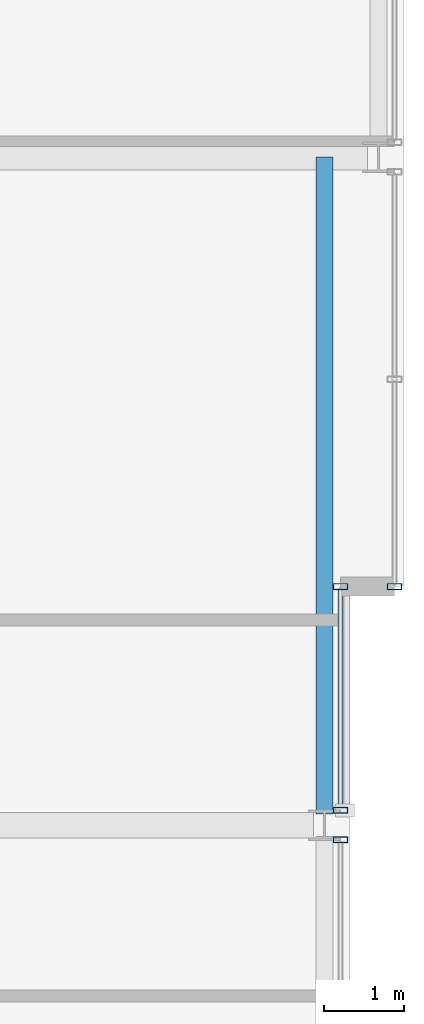
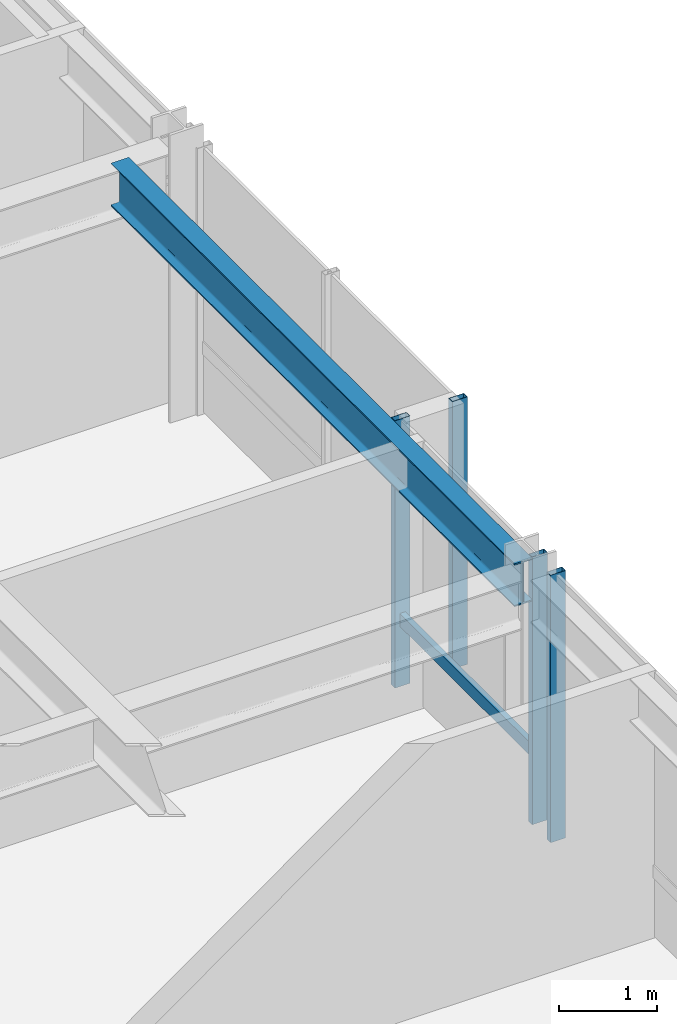
# One storey, part 16 of 32: 5 members, 1 beam, 3 elements without a shape of their own.
"""IFC4 building model written with IfcOpenShell, lengths in metres."""

from ifc_helpers import new_model, si_unit, direction, frame, origin, origin_2d, place, context, subcontext, project, spatial, hollow_rectangle, i_section, extrude, material, layer, layer_set, material_profile, profile_set, type_object, element, aggregate, save


model = new_model("IFC4")

# Units and contexts
model_context = context("Model", 3, precision=1e-05, world=origin(), true_north=direction((0.0, 1.0)))
body_context = subcontext(model_context, "Body", "Model", "MODEL_VIEW")
ifc_project = project(units=[si_unit("LENGTHUNIT", "METRE"), si_unit("AREAUNIT", "SQUARE_METRE"), si_unit("VOLUMEUNIT", "CUBIC_METRE"), si_unit("PLANEANGLEUNIT", "RADIAN"), si_unit("MASSUNIT", "GRAM", prefix="KILO")], contexts=[model_context])

# Site, building, storey
site_placement = place(None, origin())
site = spatial("IfcSite", under=ifc_project, at=site_placement, CompositionType="ELEMENT")
building_placement = place(site_placement, origin())
building = spatial("IfcBuilding", under=site, at=building_placement, Name="Drelvath Grand Hotel", CompositionType="ELEMENT")
storey_placement = place(building_placement, frame((0.0, 0.0, 226.699951171875)))
storey = spatial("IfcBuildingStorey", under=building, at=storey_placement, Name="L59", CompositionType="ELEMENT", Elevation=226.699951171875)

# Curtain wall, member
ifc_material_1 = material(Name="Platinum-Mist Anodised Aluminium Frame", Category="aluminium")
ifc_layer = layer(ifc_material_1, 0.199951171875)
ifc_layer_set = layer_set([ifc_layer], Name="Platinum-Mist Anodised Aluminium Frame")
curtain_wall_type = type_object("IfcCurtainWallType", Name="Stick Curtain Wall CW-05 Platinum Mist High-Rise", PredefinedType="NOTDEFINED", material=ifc_layer_set)
curtain_wall_1_placement = place(storey_placement, origin())
curtain_wall_1 = element("IfcCurtainWall", 1, at=curtain_wall_1_placement, inside=storey, type_object=curtain_wall_type, Name="L59 CW-05 Curtain Wall CW05-L59-EM2", PredefinedType="NOTDEFINED")
ifc_material_profile_1 = material_profile(ifc_material_1, hollow_rectangle(XDim=0.06494140625, YDim=0.159912109375, WallThickness=0.00390625, at=origin_2d()), Name="HSS160X65X4")
ifc_profile_set_1 = profile_set([ifc_material_profile_1], Name="Platinum-Mist Anodised Aluminium Frame")
member_type_1 = type_object("IfcMemberType", Name="Curtain Wall Horizontal Transom CW-05 HSS160X65X4", PredefinedType="USERDEFINED", material=ifc_profile_set_1)
member_1_placement = place(storey_placement, frame((21.39990234375, 29.9599609375, 0.8349609375), z_axis=(0.0, -1.0, 0.0), x_axis=(1.0, 0.0, 0.0)))
member_1 = element("IfcMember", 2, at=member_1_placement, type_object=member_type_1, Name="CW05-L59-EM2 Sill Transom", ObjectType="TRANSOM", PredefinedType="USERDEFINED", context=body_context, shape_type="SweptSolid", body=[
    extrude(hollow_rectangle(XDim=0.06494140625, YDim=0.159912109375, WallThickness=0.00390625, at=origin_2d()), origin(), (0.0, 0.0, 1.0), 2.734619140625),
])

curtain_wall_2_placement = place(storey_placement, origin())
curtain_wall_2 = element("IfcCurtainWall", 3, at=curtain_wall_2_placement, inside=storey, type_object=curtain_wall_type, Name="L59 CW-05 Curtain Wall CW05-L59-EN1", PredefinedType="NOTDEFINED")
ifc_material_profile_2 = material_profile(ifc_material_1, hollow_rectangle(XDim=0.074951171875, YDim=0.179931640625, WallThickness=0.0048828125, at=origin_2d()), Name="HSS180X75X5")
ifc_profile_set_2 = profile_set([ifc_material_profile_2], Name="Platinum-Mist Anodised Aluminium Frame")
member_type_2 = type_object("IfcMemberType", Name="Curtain Wall Vertical Mullion CW-05 HSS180X75X5", PredefinedType="MULLION", material=ifc_profile_set_2)
member_2_placement = place(storey_placement, frame((22.080078125, 30.0, 0.0), z_axis=(0.0, 0.0, 1.0), x_axis=(0.0, 1.0, 0.0)))
member_2 = element("IfcMember", 4, at=member_2_placement, type_object=member_type_2, Name="CW05-L59-EN1 Mullion 3", PredefinedType="MULLION", context=body_context, shape_type="SweptSolid", body=[
    extrude(hollow_rectangle(XDim=0.074951171875, YDim=0.179931640625, WallThickness=0.0048828125, at=origin_2d()), origin(), (0.0, 0.0, 1.0), 3.340087890625),
])
aggregate(curtain_wall_2, [member_2])

curtain_wall_3_placement = place(storey_placement, origin())
curtain_wall_3 = element("IfcCurtainWall", 5, at=curtain_wall_3_placement, inside=storey, type_object=curtain_wall_type, Name="L59 CW-05 Curtain Wall CW05-L59-EM1", PredefinedType="NOTDEFINED")
member_3_placement = place(storey_placement, frame((21.39990234375, 26.814697265625, 0.0), z_axis=(0.0, 0.0, 1.0), x_axis=(0.0, 1.0, 0.0)))
member_3 = element("IfcMember", 6, at=member_3_placement, type_object=member_type_2, Name="CW05-L59-EM1 Mullion 1", PredefinedType="MULLION", context=body_context, shape_type="SweptSolid", body=[
    extrude(hollow_rectangle(XDim=0.074951171875, YDim=0.179931640625, WallThickness=0.0048828125, at=origin_2d()), origin(), (0.0, 0.0, 1.0), 3.340087890625),
])
aggregate(curtain_wall_3, [member_3])

# Member
member_4_placement = place(storey_placement, frame((21.39990234375, 30.0, 0.0), z_axis=(0.0, 0.0, 1.0), x_axis=(0.0, 1.0, 0.0)))
member_4 = element("IfcMember", 7, at=member_4_placement, type_object=member_type_2, Name="CW05-L59-EM2 Mullion 1", PredefinedType="MULLION", context=body_context, shape_type="SweptSolid", body=[
    extrude(hollow_rectangle(XDim=0.074951171875, YDim=0.179931640625, WallThickness=0.0048828125, at=origin_2d()), origin(), (0.0, 0.0, 1.0), 3.340087890625),
])

member_5_placement = place(storey_placement, frame((21.39990234375, 27.185302734375, 0.0), z_axis=(0.0, 0.0, 1.0), x_axis=(0.0, 1.0, 0.0)))
member_5 = element("IfcMember", 8, at=member_5_placement, type_object=member_type_2, Name="CW05-L59-EM2 Mullion 2", PredefinedType="MULLION", context=body_context, shape_type="SweptSolid", body=[
    extrude(hollow_rectangle(XDim=0.074951171875, YDim=0.179931640625, WallThickness=0.0048828125, at=origin_2d()), origin(), (0.0, 0.0, 1.0), 3.340087890625),
])

aggregate(curtain_wall_1, [member_4, member_5, member_1])

# Beam
ifc_material_2 = material(Name="Steel ASTM A992 Gr 50", Category="steel")
ifc_material_profile_3 = material_profile(ifc_material_2, i_section(OverallWidth=0.210205078125, OverallDepth=0.53662109375, WebThickness=0.010986328125, FlangeThickness=0.017333984375, FilletRadius=0.01806640625, at=origin_2d()), Name="W21X68")
ifc_profile_set_3 = profile_set([ifc_material_profile_3], Name="Steel ASTM A992 Gr 50")
beam_type = type_object("IfcBeamType", Name="Perimeter Spandrel Beam W21X68", PredefinedType="SPANDREL", material=ifc_profile_set_3)
beam_placement = place(storey_placement, frame((21.199951171875, 27.139892578125, 3.071533203125), z_axis=(0.0, 1.0, 0.0), x_axis=(-1.0, 0.0, 0.0)))
element("IfcBeam", 9, at=beam_placement, inside=storey, type_object=beam_type, Name="L59 Spandrel East Mid N", PredefinedType="SPANDREL", context=body_context, shape_type="SweptSolid", body=[
    extrude(i_section(OverallWidth=0.210205078125, OverallDepth=0.53662109375, WebThickness=0.010986328125, FlangeThickness=0.017333984375, FilletRadius=0.01806640625, at=origin_2d()), origin(), (0.0, 0.0, 1.0), 8.260009765625),
])

save(model, "model.ifc")
